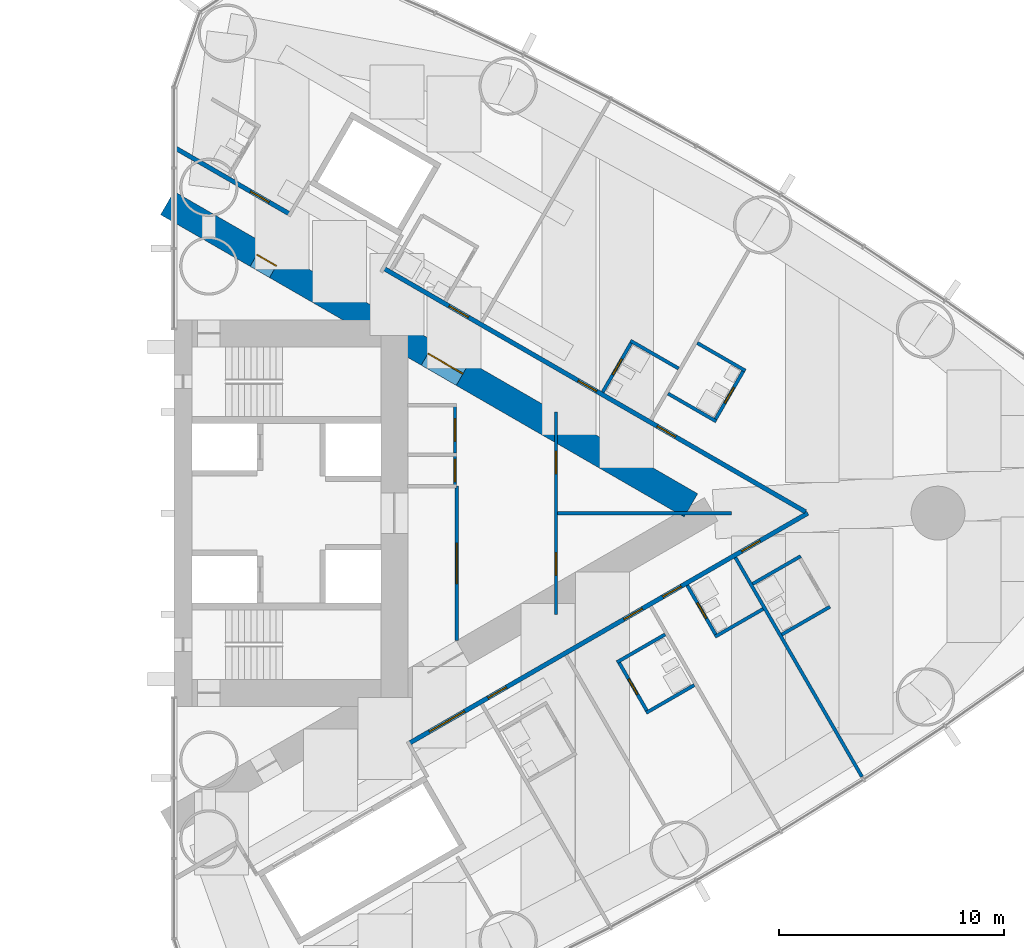
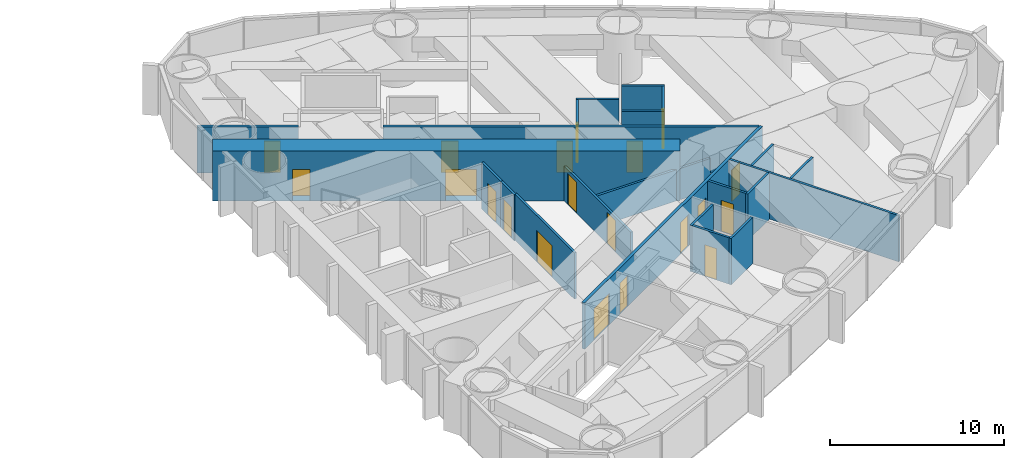
# One storey, part 14 of 18: 22 walls, 20 doors, 20 openings.
"""IFC4 building model written with IfcOpenShell, lengths in metres."""

import ifcopenshell
import ifcopenshell.guid

model = None  # the IFC model being written
_history = None  # IfcOwnerHistory: only IFC2X3 demands one
_inside = {}  # id of a spatial element -> (the spatial element, [elements in it])
_under = {}  # id of a project, library or spatial element -> (it, [spatial elements below it])
_declared = {}  # id of a project -> (the project, [libraries it declares])
_typed = {}  # id of a type object -> (the type object, [elements of that type])
_made_of = {}  # id of a material, layer set ... -> (it, [elements and type objects made of it])


def new_model(schema):
    """Start an empty IFC model of exactly this schema.

    Asked for "IFC4X3", IfcOpenShell would pick the latest addendum, in which some entities
    have other attributes; the version numbers below select the first issue.
    IFC2X3 requires an IfcOwnerHistory on every rooted entity: one is made here for all.
    """
    global model, _history
    if schema == "IFC4X3":
        model = ifcopenshell.file(schema_version=(4, 3, 0, 0))
    else:
        model = ifcopenshell.file(schema=schema)
    _inside.clear()
    _under.clear()
    _declared.clear()
    _typed.clear()
    _made_of.clear()
    _history = None
    if model.schema == "IFC2X3":
        org = make("IfcOrganization", Name="unknown")
        user = make(
            "IfcPersonAndOrganization",
            ThePerson=make("IfcPerson", FamilyName="unknown"),
            TheOrganization=org,
        )
        app = make(
            "IfcApplication",
            ApplicationDeveloper=org,
            Version="unknown",
            ApplicationFullName="unknown",
            ApplicationIdentifier="unknown",
        )
        _history = make(
            "IfcOwnerHistory",
            OwningUser=user,
            OwningApplication=app,
            ChangeAction="ADDED",
            CreationDate=0,
        )
    return model


def make(cls, **values):
    """One entity of the class cls with the attributes given. An attribute that is None is left unset."""
    return model.create_entity(
        cls, **{name: value for name, value in values.items() if value is not None}
    )


def rooted(cls, **values):
    """An entity with a GlobalId (a new one), such as an element, a storey or a relation."""
    return make(cls, GlobalId=ifcopenshell.guid.new(), OwnerHistory=_history, **values)


def si_unit(unit_type, name, prefix=None):
    """IfcSIUnit, for example si_unit("LENGTHUNIT", "METRE", prefix="MILLI")."""
    return make("IfcSIUnit", UnitType=unit_type, Prefix=prefix, Name=name)


def assignment(units):
    """IfcUnitAssignment: the units of a project."""
    return None if units is None else make("IfcUnitAssignment", Units=units)


def point(xyz):
    """IfcCartesianPoint."""
    return None if xyz is None else make("IfcCartesianPoint", Coordinates=xyz)


def direction(xyz):
    """IfcDirection."""
    return None if xyz is None else make("IfcDirection", DirectionRatios=xyz)


def frame(location, z_axis=None, x_axis=None):
    """IfcAxis2Placement3D, a coordinate frame: its origin and axes. An axis left out is left unset."""
    return make(
        "IfcAxis2Placement3D",
        Location=point(location),
        Axis=direction(z_axis),
        RefDirection=direction(x_axis),
    )


def frame_2d(location, x_axis=None):
    """IfcAxis2Placement2D, a coordinate frame in the plane: its origin and x axis."""
    return make(
        "IfcAxis2Placement2D", Location=point(location), RefDirection=direction(x_axis)
    )


def origin():
    """The frame at (0, 0, 0) with its axes left unset."""
    return frame((0.0, 0.0, 0.0))


def place(relative_to, where):
    """IfcLocalPlacement: puts the frame where relative to a parent placement (None: the world)."""
    return make(
        "IfcLocalPlacement", PlacementRelTo=relative_to, RelativePlacement=where
    )


def context(
    kind, dimensions, precision=None, world=None, true_north=None, identifier=None
):
    """IfcGeometricRepresentationContext, for example the 3D "Model" context."""
    return make(
        "IfcGeometricRepresentationContext",
        ContextIdentifier=identifier,
        ContextType=kind,
        CoordinateSpaceDimension=dimensions,
        Precision=precision,
        WorldCoordinateSystem=world,
        TrueNorth=true_north,
    )


def subcontext(parent, identifier, kind, view, scale=None):
    """IfcGeometricRepresentationSubContext, for example "Body" below "Model"."""
    return make(
        "IfcGeometricRepresentationSubContext",
        ContextIdentifier=identifier,
        ContextType=kind,
        ParentContext=parent,
        TargetScale=scale,
        TargetView=view,
    )


def project(units=None, contexts=None):
    """IfcProject with its units and contexts."""
    return rooted(
        "IfcProject",
        Name="project",
        RepresentationContexts=contexts,
        UnitsInContext=assignment(units),
    )


def spatial(cls, under=None, at=None, **own):
    """A site, building, storey or space (cls), placed at a placement, below another one or the project."""
    s = rooted(cls, ObjectPlacement=at, **own)
    if under is not None:
        _under.setdefault(under.id(), (under, []))[1].append(s)
    return s


def profile(cls, at=None, kind="AREA", **sizes):
    """A parametric profile (cls). Its sizes go by their IFC names, for example OverallWidth=200.0."""
    return make(cls, ProfileType=kind, Position=at, **sizes)


def rectangle(**sizes):
    """IfcRectangleProfileDef."""
    return profile("IfcRectangleProfileDef", **sizes)


def extrude(swept, where, along, depth):
    """IfcExtrudedAreaSolid: the profile swept, set in the frame where, extruded along a direction by depth."""
    return make(
        "IfcExtrudedAreaSolid",
        SweptArea=swept,
        Position=where,
        ExtrudedDirection=direction(along),
        Depth=depth,
    )


def shape(context_of_items, identifier, shape_type, items):
    """IfcShapeRepresentation: the items that make up one representation, for example the "Body"."""
    return make(
        "IfcShapeRepresentation",
        ContextOfItems=context_of_items,
        RepresentationIdentifier=identifier,
        RepresentationType=shape_type,
        Items=items,
    )


def material(Name=None, Category=None):
    """IfcMaterial."""
    return make("IfcMaterial", Name=Name, Category=Category)


def layer(
    of_material, thickness, ventilated=None, Name=None, Category=None, Priority=None
):
    """IfcMaterialLayer: one layer of a wall or slab, of a material (None: an air gap)."""
    return make(
        "IfcMaterialLayer",
        Material=of_material,
        LayerThickness=thickness,
        IsVentilated=ventilated,
        Name=Name,
        Category=Category,
        Priority=Priority,
    )


def layer_set(layers, Name=None):
    """IfcMaterialLayerSet."""
    return make("IfcMaterialLayerSet", MaterialLayers=layers, LayerSetName=Name)


def made_of(thing, what):
    """Note that an element or type object is made of a material, layer set ...; save() writes the relation."""
    if what is not None:
        _made_of.setdefault(what.id(), (what, []))[1].append(thing)
    return thing


def type_object(cls, material=None, **own):
    """A type object (cls), such as IfcWallType, which elements share."""
    return made_of(rooted(cls, **own), material)


def element(
    cls,
    number,
    at=None,
    inside=None,
    cuts=None,
    type_object=None,
    material=None,
    context=None,
    identifier="Body",
    shape_type=None,
    held_by="IfcProductDefinitionShape",
    body=None,
    shapes=None,
    **own,
):
    """One element of the class cls, such as IfcWall. Its Tag is "e" and its number.

    at: its placement. inside: the storey or other place that contains it. cuts: it is an
    opening in that element (IfcRelVoidsElement). A single representation is given by context,
    identifier, shape_type and body (its items); several are given by shapes. held_by: the class
    of the entity that holds the representations. save() writes the other relations.
    """
    e = rooted(cls, Tag="e%d" % number, ObjectPlacement=at, **own)
    if body is not None:
        shapes = [shape(context, identifier, shape_type, body)]
    if shapes is not None:
        e.Representation = make(held_by, Representations=shapes)
    if inside is not None:
        _inside.setdefault(inside.id(), (inside, []))[1].append(e)
    if cuts is not None:
        rooted(
            "IfcRelVoidsElement", RelatingBuildingElement=cuts, RelatedOpeningElement=e
        )
    if type_object is not None:
        _typed.setdefault(type_object.id(), (type_object, []))[1].append(e)
    return made_of(e, material)


def fill(opening, filler):
    """IfcRelFillsElement: the door or window that sits in an opening."""
    return rooted(
        "IfcRelFillsElement",
        RelatingOpeningElement=opening,
        RelatedBuildingElement=filler,
    )


def aggregate(whole, parts):
    """IfcRelAggregates: a whole, such as a stair, and the parts it consists of."""
    return rooted("IfcRelAggregates", RelatingObject=whole, RelatedObjects=parts)


def save(model, path):
    """Write the relations noted so far, then the file.

    IfcRelAggregates (storeys below a building ...), IfcRelContainedInSpatialStructure (elements
    in a storey), IfcRelDefinesByType, IfcRelAssociatesMaterial and IfcRelDeclares: one each for
    every whole, place, type object, material and project.
    """
    for whole, parts in _under.values():
        aggregate(whole, parts)
    for where, things in _inside.values():
        rooted(
            "IfcRelContainedInSpatialStructure",
            RelatedElements=things,
            RelatingStructure=where,
        )
    for kind, things in _typed.values():
        rooted("IfcRelDefinesByType", RelatedObjects=things, RelatingType=kind)
    for what, things in _made_of.values():
        rooted("IfcRelAssociatesMaterial", RelatedObjects=things, RelatingMaterial=what)
    for by, libraries in _declared.values():
        rooted("IfcRelDeclares", RelatingContext=by, RelatedDefinitions=libraries)
    model.write(path)


model = new_model("IFC4")

# Units and contexts
model_context = context("Model", 3, precision=1e-05, world=origin(), true_north=direction((0.0, 1.0)))
body_context = subcontext(model_context, "Body", "Model", "MODEL_VIEW")
ifc_project = project(units=[si_unit("LENGTHUNIT", "METRE"), si_unit("AREAUNIT", "SQUARE_METRE"), si_unit("VOLUMEUNIT", "CUBIC_METRE"), si_unit("PLANEANGLEUNIT", "RADIAN"), si_unit("MASSUNIT", "GRAM", prefix="KILO")], contexts=[model_context])

# Site, building, storey
site_placement = place(None, origin())
site = spatial("IfcSite", under=ifc_project, at=site_placement, CompositionType="ELEMENT")
building_placement = place(site_placement, origin())
building = spatial("IfcBuilding", under=site, at=building_placement, Name="Lancet Gate Hotel", CompositionType="ELEMENT")
storey_placement = place(building_placement, frame((0.0, 0.0, 94.10009765625)))
storey = spatial("IfcBuildingStorey", under=building, at=storey_placement, Name="L24", CompositionType="ELEMENT", Elevation=94.10009765625)

# Wall
ifc_material_1 = material(Name="Moisture resistant board partition")
ifc_layer_1 = layer(ifc_material_1, 0.14990234375)
ifc_layer_set_1 = layer_set([ifc_layer_1], Name="Bathroom wall 150")
wall_type_1 = type_object("IfcWallType", Name="Bathroom wall 150", PredefinedType="PARTITIONING", material=ifc_layer_set_1)
wall_1_placement = place(storey_placement, frame((48.510009765625, -8.88671875, 0.0), z_axis=(0.0, 0.0, 1.0), x_axis=(0.866031185235, 0.4999899861, 0.0)))
element("IfcWall", 1, at=wall_1_placement, inside=storey, type_object=wall_type_1, Name="T2 bathroom wall 150 L24", PredefinedType="PARTITIONING", context=body_context, shape_type="SweptSolid", body=[
    extrude(rectangle(XDim=2.47509765625, YDim=0.14990234375, at=frame_2d((1.237548828125, 0.0))), origin(), (0.0, 0.0, 1.0), 3.25),
])

# Wall, opening, door
wall_2_placement = place(storey_placement, frame((47.275146484375, -6.597412109375, 0.0), z_axis=(0.0, 0.0, 1.0), x_axis=(0.499936506574, -0.866062058628, 0.0)))
wall_2 = element("IfcWall", 2, at=wall_2_placement, inside=storey, type_object=wall_type_1, Name="T2 bathroom wall 150 L24", PredefinedType="PARTITIONING", context=body_context, shape_type="SweptSolid", body=[
    extrude(rectangle(XDim=2.599853515625, YDim=0.14990234375, at=frame_2d((1.2998046875, 0.0))), origin(), (0.0, 0.0, 1.0), 3.25),
])
opening_1_placement = place(wall_2_placement, frame((0.89990234375, 0.0, 0.0)))
opening_1 = element("IfcOpeningElement", 3, at=opening_1_placement, cuts=wall_2, Name="Opening 2455-B", PredefinedType="OPENING", context=body_context, shape_type="SweptSolid", body=[
    extrude(rectangle(XDim=0.800048828125, YDim=2.199951171875, at=frame_2d((0.39990234375, 1.10009765625))), frame((0.0, 0.0849609375, 0.0), z_axis=(0.0, -1.0, 0.0), x_axis=(1.0, 0.0, 0.0)), (0.0, 0.0, 1.0), 0.169921875),
])
ifc_material_2 = material(Name="Timber door set", Category="wood")
door_type_1 = type_object("IfcDoorType", Name="Bathroom door 800", OperationType="SINGLE_SWING_RIGHT", PredefinedType="DOOR", material=ifc_material_2)
door_1_placement = place(opening_1_placement, origin())
door_1 = element("IfcDoor", 4, at=door_1_placement, inside=storey, type_object=door_type_1, Name="2455-B", OperationType="SINGLE_SWING_RIGHT", OverallHeight=2.199951171875, OverallWidth=0.800048828125, PredefinedType="DOOR", context=body_context, shape_type="SweptSolid", body=[
    extrude(rectangle(XDim=0.800048828125, YDim=2.199951171875, at=frame_2d((0.39990234375, 1.10009765625))), frame((0.0, 0.02490234375, 0.0), z_axis=(0.0, -1.0, 0.0), x_axis=(1.0, 0.0, 0.0)), (0.0, 0.0, 1.0), 0.050048828125),
])
fill(opening_1, door_1)

# Walls
for number, where, z_axis, x_axis, name in (
    (5, (47.210205078125, -6.635009765625, 0.0), (0.0, 0.0, 1.0), (0.866006523861, 0.500032699561, 0.0), "T2 bathroom wall 150 L24"),
    (6, (51.572998046875, -5.501708984375, 0.0), (0.0, 0.0, 1.0), (0.866006523861, 0.500032699561, 0.0), "T2 bathroom wall 150 L24"),
):
    element("IfcWall", number, at=place(storey_placement, frame(where, z_axis=z_axis, x_axis=x_axis)), inside=storey, type_object=wall_type_1, Name=name, PredefinedType="PARTITIONING", context=body_context, shape_type="SweptSolid", body=[
        extrude(rectangle(XDim=2.474853515625, YDim=0.14990234375, at=frame_2d((1.2373046875, 0.0))), origin(), (0.0, 0.0, 1.0), 3.25),
    ])

# Wall, opening, door
wall_3_placement = place(storey_placement, frame((50.337890625, -3.212646484375, 0.0), z_axis=(0.0, 0.0, 1.0), x_axis=(0.500047596559, -0.865997922154, 0.0)))
wall_3 = element("IfcWall", 7, at=wall_3_placement, inside=storey, type_object=wall_type_1, Name="T2 bathroom wall 150 L24", PredefinedType="PARTITIONING", context=body_context, shape_type="SweptSolid", body=[
    extrude(rectangle(XDim=2.599853515625, YDim=0.14990234375, at=frame_2d((1.2998046875, 0.0))), origin(), (0.0, 0.0, 1.0), 3.25),
])
opening_2_placement = place(wall_3_placement, frame((0.89990234375, 0.0, 0.0)))
opening_2 = element("IfcOpeningElement", 8, at=opening_2_placement, cuts=wall_3, Name="Opening 2456-B", PredefinedType="OPENING", context=body_context, shape_type="SweptSolid", body=[
    extrude(rectangle(XDim=0.800048828125, YDim=2.199951171875, at=frame_2d((0.39990234375, 1.10009765625))), frame((0.0, 0.0849609375, 0.0), z_axis=(0.0, -1.0, 0.0), x_axis=(1.0, 0.0, 0.0)), (0.0, 0.0, 1.0), 0.169921875),
])
door_2_placement = place(opening_2_placement, origin())
door_2 = element("IfcDoor", 9, at=door_2_placement, inside=storey, type_object=door_type_1, Name="2456-B", OperationType="SINGLE_SWING_RIGHT", OverallHeight=2.199951171875, OverallWidth=0.800048828125, PredefinedType="DOOR", context=body_context, shape_type="SweptSolid", body=[
    extrude(rectangle(XDim=0.800048828125, YDim=2.199951171875, at=frame_2d((0.39990234375, 1.10009765625))), frame((0.0, 0.02490234375, 0.0), z_axis=(0.0, -1.0, 0.0), x_axis=(1.0, 0.0, 0.0)), (0.0, 0.0, 1.0), 0.050048828125),
])
fill(opening_2, door_2)

# Walls
for number, where, z_axis, x_axis, name in (
    (10, (54.54638671875, -5.401611328125, 0.0), (0.0, 0.0, 1.0), (0.866006523861, 0.500032699561, 0.0), "T2 bathroom wall 150 L24"),
    (11, (53.246337890625, -3.14990234375, 0.0), (0.0, 0.0, 1.0), (0.866006523861, 0.500032699561, 0.0), "T2 bathroom wall 150 L24"),
    (12, (50.783447265625, 7.57421875, 0.0), (0.0, 0.0, 1.0), (0.866006523861, -0.500032699561, 0.0), "T2 bathroom wall 150 L24"),
):
    element("IfcWall", number, at=place(storey_placement, frame(where, z_axis=z_axis, x_axis=x_axis)), inside=storey, type_object=wall_type_1, Name=name, PredefinedType="PARTITIONING", context=body_context, shape_type="SweptSolid", body=[
        extrude(rectangle(XDim=2.474853515625, YDim=0.14990234375, at=frame_2d((1.2373046875, 0.0))), origin(), (0.0, 0.0, 1.0), 3.25),
    ])

# Wall, opening, door
wall_4_placement = place(storey_placement, frame((51.56201171875, 4.12255859375, 0.0), z_axis=(0.0, 0.0, 1.0), x_axis=(0.49997716683, 0.86603858612, 0.0)))
wall_4 = element("IfcWall", 13, at=wall_4_placement, inside=storey, type_object=wall_type_1, Name="T2 bathroom wall 150 L24", PredefinedType="PARTITIONING", context=body_context, shape_type="SweptSolid", body=[
    extrude(rectangle(XDim=2.599609375, YDim=0.14990234375, at=frame_2d((1.2998046875, 0.0))), origin(), (0.0, 0.0, 1.0), 3.25),
])
opening_3_placement = place(wall_4_placement, frame((0.89990234375, 0.0, 0.0)))
opening_3 = element("IfcOpeningElement", 14, at=opening_3_placement, cuts=wall_4, Name="Opening 2458-B", PredefinedType="OPENING", context=body_context, shape_type="SweptSolid", body=[
    extrude(rectangle(XDim=0.800048828125, YDim=2.199951171875, at=frame_2d((0.39990234375, 1.10009765625))), frame((0.0, 0.0849609375, 0.0), z_axis=(0.0, -1.0, 0.0), x_axis=(1.0, 0.0, 0.0)), (0.0, 0.0, 1.0), 0.169921875),
])
door_3_placement = place(opening_3_placement, origin())
door_3 = element("IfcDoor", 15, at=door_3_placement, inside=storey, type_object=door_type_1, Name="2458-B", OperationType="SINGLE_SWING_RIGHT", OverallHeight=2.199951171875, OverallWidth=0.800048828125, PredefinedType="DOOR", context=body_context, shape_type="SweptSolid", body=[
    extrude(rectangle(XDim=0.800048828125, YDim=2.199951171875, at=frame_2d((0.39990234375, 1.10009765625))), frame((0.0, 0.02490234375, 0.0), z_axis=(0.0, -1.0, 0.0), x_axis=(1.0, 0.0, 0.0)), (0.0, 0.0, 1.0), 0.050048828125),
])
fill(opening_3, door_3)

# Walls
for number, where, z_axis, x_axis, name in (
    (16, (49.4833984375, 5.322509765625, 0.0), (0.0, 0.0, 1.0), (0.866031185235, -0.4999899861, 0.0), "T2 bathroom wall 150 L24"),
    (17, (47.81005859375, 7.67431640625, 0.0), (0.0, 0.0, 1.0), (0.866031185235, -0.4999899861, 0.0), "T2 bathroom wall 150 L24"),
):
    element("IfcWall", number, at=place(storey_placement, frame(where, z_axis=z_axis, x_axis=x_axis)), inside=storey, type_object=wall_type_1, Name=name, PredefinedType="PARTITIONING", context=body_context, shape_type="SweptSolid", body=[
        extrude(rectangle(XDim=2.47509765625, YDim=0.14990234375, at=frame_2d((1.237548828125, 0.0))), origin(), (0.0, 0.0, 1.0), 3.25),
    ])

# Wall, opening, door
wall_5_placement = place(storey_placement, frame((46.574951171875, 5.385009765625, 0.0), z_axis=(0.0, 0.0, 1.0), x_axis=(0.500006934395, 0.866021400173, 0.0)))
wall_5 = element("IfcWall", 18, at=wall_5_placement, inside=storey, type_object=wall_type_1, Name="T2 bathroom wall 150 L24", PredefinedType="PARTITIONING", context=body_context, shape_type="SweptSolid", body=[
    extrude(rectangle(XDim=2.60009765625, YDim=0.14990234375, at=frame_2d((1.300048828125, 0.0))), origin(), (0.0, 0.0, 1.0), 3.25),
])
opening_4_placement = place(wall_5_placement, frame((0.89990234375, 0.0, 0.0)))
opening_4 = element("IfcOpeningElement", 19, at=opening_4_placement, cuts=wall_5, Name="Opening 2460-B", PredefinedType="OPENING", context=body_context, shape_type="SweptSolid", body=[
    extrude(rectangle(XDim=0.800048828125, YDim=2.199951171875, at=frame_2d((0.39990234375, 1.10009765625))), frame((0.0, 0.0849609375, 0.0), z_axis=(0.0, -1.0, 0.0), x_axis=(1.0, 0.0, 0.0)), (0.0, 0.0, 1.0), 0.169921875),
])
door_4_placement = place(opening_4_placement, origin())
door_4 = element("IfcDoor", 20, at=door_4_placement, inside=storey, type_object=door_type_1, Name="2460-B", OperationType="SINGLE_SWING_RIGHT", OverallHeight=2.199951171875, OverallWidth=0.800048828125, PredefinedType="DOOR", context=body_context, shape_type="SweptSolid", body=[
    extrude(rectangle(XDim=0.800048828125, YDim=2.199951171875, at=frame_2d((0.39990234375, 1.10009765625))), frame((0.0, 0.02490234375, 0.0), z_axis=(0.0, -1.0, 0.0), x_axis=(1.0, 0.0, 0.0)), (0.0, 0.0, 1.0), 0.050048828125),
])
fill(opening_4, door_4)

# Wall, openings, doors
ifc_material_3 = material(Name="Concrete C70/85", Category="concrete")
ifc_layer_2 = layer(ifc_material_3, 1.199951171875)
ifc_layer_set_2 = layer_set([ifc_layer_2], Name="Buttress wall 1200")
wall_type_2 = type_object("IfcWallType", Name="Buttress wall 1200", PredefinedType="SHEAR", material=ifc_layer_set_2)
wall_6_placement = place(storey_placement, frame((27.199951171875, 13.800048828125, 0.0), z_axis=(0.0, 0.0, 1.0), x_axis=(0.866024515034, -0.500001539357, 0.0)))
wall_6 = element("IfcWall", 21, at=wall_6_placement, inside=storey, type_object=wall_type_2, Name="T2 buttress wall N L24", PredefinedType="SHEAR", context=body_context, shape_type="SweptSolid", body=[
    extrude(rectangle(XDim=26.9072265625, YDim=1.199951171875, at=frame_2d((13.45361328125, 0.0))), origin(), (0.0, 0.0, 1.0), 3.5),
])
opening_5_placement = place(wall_6_placement, frame((4.60009765625, 0.0, 0.0)))
opening_5 = element("IfcOpeningElement", 22, at=opening_5_placement, cuts=wall_6, Name="Opening T2-L24-LN", PredefinedType="OPENING", context=body_context, shape_type="SweptSolid", body=[
    extrude(rectangle(XDim=1.0, YDim=2.199951171875, at=frame_2d((0.5, 1.10009765625))), frame((0.0, 0.60986328125, 0.0), z_axis=(0.0, -1.0, 0.0), x_axis=(1.0, 0.0, 0.0)), (0.0, 0.0, 1.0), 1.219970703125),
])
opening_6_placement = place(wall_6_placement, frame((13.39453125, 0.0, 0.0)))
opening_6 = element("IfcOpeningElement", 23, at=opening_6_placement, cuts=wall_6, Name="Opening T2-L24-LHN", PredefinedType="OPENING", context=body_context, shape_type="SweptSolid", body=[
    extrude(rectangle(XDim=1.800048828125, YDim=2.199951171875, at=frame_2d((0.89990234375, 1.10009765625))), frame((0.0, 0.60986328125, 0.0), z_axis=(0.0, -1.0, 0.0), x_axis=(1.0, 0.0, 0.0)), (0.0, 0.0, 1.0), 1.219970703125),
])
ifc_material_4 = material(Name="Timber door set", Category="wood")
door_type_2 = type_object("IfcDoorType", Name="Lobby double door 1800", OperationType="DOUBLE_DOOR_SINGLE_SWING", PredefinedType="DOOR", material=ifc_material_4)
door_5_placement = place(opening_6_placement, origin())
door_5 = element("IfcDoor", 24, at=door_5_placement, inside=storey, type_object=door_type_2, Name="T2-L24-LHN", OperationType="DOUBLE_DOOR_SINGLE_SWING", OverallHeight=2.199951171875, OverallWidth=1.800048828125, PredefinedType="DOOR", context=body_context, shape_type="SweptSolid", body=[
    extrude(rectangle(XDim=1.800048828125, YDim=2.199951171875, at=frame_2d((0.89990234375, 1.10009765625))), frame((0.0, 0.02490234375, 0.0), z_axis=(0.0, -1.0, 0.0), x_axis=(1.0, 0.0, 0.0)), (0.0, 0.0, 1.0), 0.050048828125),
])
fill(opening_6, door_5)
ifc_material_5 = material(Name="Timber door set", Category="wood")
door_type_3 = type_object("IfcDoorType", Name="Stair lobby door 1000", OperationType="SINGLE_SWING_LEFT", PredefinedType="DOOR", material=ifc_material_5)
door_6_placement = place(opening_5_placement, origin())
door_6 = element("IfcDoor", 25, at=door_6_placement, inside=storey, type_object=door_type_3, Name="T2-L24-LN", OperationType="SINGLE_SWING_LEFT", OverallHeight=2.199951171875, OverallWidth=1.0, PredefinedType="DOOR", context=body_context, shape_type="SweptSolid", body=[
    extrude(rectangle(XDim=1.0, YDim=2.199951171875, at=frame_2d((0.5, 1.10009765625))), frame((0.0, 0.02490234375, 0.0), z_axis=(0.0, -1.0, 0.0), x_axis=(1.0, 0.0, 0.0)), (0.0, 0.0, 1.0), 0.050048828125),
])
fill(opening_5, door_6)

ifc_material_6 = material(Name="Gypsum board partition")
ifc_layer_3 = layer(ifc_material_6, 0.199951171875)
ifc_layer_set_3 = layer_set([ifc_layer_3], Name="Corridor wall 200")
wall_type_3 = type_object("IfcWallType", Name="Corridor wall 200", PredefinedType="PARTITIONING", material=ifc_layer_set_3)
wall_7_placement = place(storey_placement, frame((37.9599609375, -10.243408203125, 0.0), z_axis=(0.0, 0.0, 1.0), x_axis=(0.866026429433, 0.499998223521, 0.0)))
wall_7 = element("IfcWall", 26, at=wall_7_placement, inside=storey, type_object=wall_type_3, Name="T2 corridor wall 200 L24", PredefinedType="PARTITIONING", context=body_context, shape_type="SweptSolid", body=[
    extrude(rectangle(XDim=20.48681640625, YDim=0.199951171875, at=frame_2d((10.243408203125, 0.0))), origin(), (0.0, 0.0, 1.0), 3.25),
])
opening_7_placement = place(wall_7_placement, frame((4.046630859375, 0.0, 0.0)))
opening_7 = element("IfcOpeningElement", 27, at=opening_7_placement, cuts=wall_7, Name="Opening 2454-E", PredefinedType="OPENING", context=body_context, shape_type="SweptSolid", body=[
    extrude(rectangle(XDim=0.949951171875, YDim=2.199951171875, at=frame_2d((0.47509765625, 1.10009765625))), frame((0.0, 0.10986328125, 0.0), z_axis=(0.0, -1.0, 0.0), x_axis=(1.0, 0.0, 0.0)), (0.0, 0.0, 1.0), 0.219970703125),
])
opening_8_placement = place(wall_7_placement, frame((11.0400390625, 0.0, 0.0)))
opening_8 = element("IfcOpeningElement", 28, at=opening_8_placement, cuts=wall_7, Name="Opening 2455-E", PredefinedType="OPENING", context=body_context, shape_type="SweptSolid", body=[
    extrude(rectangle(XDim=0.949951171875, YDim=2.199951171875, at=frame_2d((0.47509765625, 1.10009765625))), frame((0.0, 0.10986328125, 0.0), z_axis=(0.0, -1.0, 0.0), x_axis=(1.0, 0.0, 0.0)), (0.0, 0.0, 1.0), 0.219970703125),
])
opening_9_placement = place(wall_7_placement, frame((13.03515625, 0.0, 0.0)))
opening_9 = element("IfcOpeningElement", 29, at=opening_9_placement, cuts=wall_7, Name="Opening 2456-E", PredefinedType="OPENING", context=body_context, shape_type="SweptSolid", body=[
    extrude(rectangle(XDim=0.949951171875, YDim=2.199951171875, at=frame_2d((0.47509765625, 1.10009765625))), frame((0.0, 0.10986328125, 0.0), z_axis=(0.0, -1.0, 0.0), x_axis=(1.0, 0.0, 0.0)), (0.0, 0.0, 1.0), 0.219970703125),
])
opening_10_placement = place(wall_7_placement, frame((17.085205078125, 0.0, 0.0)))
opening_10 = element("IfcOpeningElement", 30, at=opening_10_placement, cuts=wall_7, Name="Opening 2457-E", PredefinedType="OPENING", context=body_context, shape_type="SweptSolid", body=[
    extrude(rectangle(XDim=0.949951171875, YDim=2.199951171875, at=frame_2d((0.47509765625, 1.10009765625))), frame((0.0, 0.10986328125, 0.0), z_axis=(0.0, -1.0, 0.0), x_axis=(1.0, 0.0, 0.0)), (0.0, 0.0, 1.0), 0.219970703125),
])
opening_11_placement = place(wall_7_placement, frame((1.04833984375, 0.0, 0.0)))
opening_11 = element("IfcOpeningElement", 31, at=opening_11_placement, cuts=wall_7, Name="Opening T2-L24-LO2", PredefinedType="OPENING", context=body_context, shape_type="SweptSolid", body=[
    extrude(rectangle(XDim=1.800048828125, YDim=2.199951171875, at=frame_2d((0.89990234375, 1.10009765625))), frame((0.0, 0.10986328125, 0.0), z_axis=(0.0, -1.0, 0.0), x_axis=(1.0, 0.0, 0.0)), (0.0, 0.0, 1.0), 0.219970703125),
])
ifc_material_7 = material(Name="Timber door set", Category="wood")
door_type_4 = type_object("IfcDoorType", Name="Double door 1800", OperationType="DOUBLE_DOOR_SINGLE_SWING", PredefinedType="DOOR", material=ifc_material_7)
door_7_placement = place(opening_11_placement, origin())
door_7 = element("IfcDoor", 32, at=door_7_placement, inside=storey, type_object=door_type_4, Name="T2-L24-LO2", OperationType="DOUBLE_DOOR_SINGLE_SWING", OverallHeight=2.199951171875, OverallWidth=1.800048828125, PredefinedType="DOOR", context=body_context, shape_type="SweptSolid", body=[
    extrude(rectangle(XDim=1.800048828125, YDim=2.199951171875, at=frame_2d((0.89990234375, 1.10009765625))), frame((0.0, 0.02490234375, 0.0), z_axis=(0.0, -1.0, 0.0), x_axis=(1.0, 0.0, 0.0)), (0.0, 0.0, 1.0), 0.050048828125),
])
fill(opening_11, door_7)
ifc_material_8 = material(Name="Timber door set", Category="wood")
door_type_5 = type_object("IfcDoorType", Name="Guest room entry door 950", OperationType="SINGLE_SWING_LEFT", PredefinedType="DOOR", material=ifc_material_8)
door_8_placement = place(opening_7_placement, origin())
door_8 = element("IfcDoor", 33, at=door_8_placement, inside=storey, type_object=door_type_5, Name="2454-E", OperationType="SINGLE_SWING_LEFT", OverallHeight=2.199951171875, OverallWidth=0.949951171875, PredefinedType="DOOR", context=body_context, shape_type="SweptSolid", body=[
    extrude(rectangle(XDim=0.949951171875, YDim=2.199951171875, at=frame_2d((0.47509765625, 1.10009765625))), frame((0.0, 0.02490234375, 0.0), z_axis=(0.0, -1.0, 0.0), x_axis=(1.0, 0.0, 0.0)), (0.0, 0.0, 1.0), 0.050048828125),
])
fill(opening_7, door_8)
door_9_placement = place(opening_8_placement, origin())
door_9 = element("IfcDoor", 34, at=door_9_placement, inside=storey, type_object=door_type_5, Name="2455-E", OperationType="SINGLE_SWING_LEFT", OverallHeight=2.199951171875, OverallWidth=0.949951171875, PredefinedType="DOOR", context=body_context, shape_type="SweptSolid", body=[
    extrude(rectangle(XDim=0.949951171875, YDim=2.199951171875, at=frame_2d((0.47509765625, 1.10009765625))), frame((0.0, 0.02490234375, 0.0), z_axis=(0.0, -1.0, 0.0), x_axis=(1.0, 0.0, 0.0)), (0.0, 0.0, 1.0), 0.050048828125),
])
fill(opening_8, door_9)
door_10_placement = place(opening_9_placement, origin())
door_10 = element("IfcDoor", 35, at=door_10_placement, inside=storey, type_object=door_type_5, Name="2456-E", OperationType="SINGLE_SWING_LEFT", OverallHeight=2.199951171875, OverallWidth=0.949951171875, PredefinedType="DOOR", context=body_context, shape_type="SweptSolid", body=[
    extrude(rectangle(XDim=0.949951171875, YDim=2.199951171875, at=frame_2d((0.47509765625, 1.10009765625))), frame((0.0, 0.02490234375, 0.0), z_axis=(0.0, -1.0, 0.0), x_axis=(1.0, 0.0, 0.0)), (0.0, 0.0, 1.0), 0.050048828125),
])
fill(opening_9, door_10)
door_11_placement = place(opening_10_placement, origin())
door_11 = element("IfcDoor", 36, at=door_11_placement, inside=storey, type_object=door_type_5, Name="2457-E", OperationType="SINGLE_SWING_LEFT", OverallHeight=2.199951171875, OverallWidth=0.949951171875, PredefinedType="DOOR", context=body_context, shape_type="SweptSolid", body=[
    extrude(rectangle(XDim=0.949951171875, YDim=2.199951171875, at=frame_2d((0.47509765625, 1.10009765625))), frame((0.0, 0.02490234375, 0.0), z_axis=(0.0, -1.0, 0.0), x_axis=(1.0, 0.0, 0.0)), (0.0, 0.0, 1.0), 0.050048828125),
])
fill(opening_10, door_11)

# Wall, opening, door
wall_8_placement = place(storey_placement, frame((27.572021484375, 16.240966796875, 0.0), z_axis=(0.0, 0.0, 1.0), x_axis=(0.866032814021, -0.499987164874, 0.0)))
wall_8 = element("IfcWall", 37, at=wall_8_placement, inside=storey, type_object=wall_type_3, Name="T2 corridor wall 200 L24", PredefinedType="PARTITIONING", context=body_context, shape_type="SweptSolid", body=[
    extrude(rectangle(XDim=5.854736328125, YDim=0.199951171875, at=frame_2d((2.92724609375, 0.0))), origin(), (0.0, 0.0, 1.0), 3.25),
])
opening_12_placement = place(wall_8_placement, frame((3.85009765625, 0.0, 0.0)))
opening_12 = element("IfcOpeningElement", 38, at=opening_12_placement, cuts=wall_8, Name="Opening 2464-E", PredefinedType="OPENING", context=body_context, shape_type="SweptSolid", body=[
    extrude(rectangle(XDim=0.949951171875, YDim=2.199951171875, at=frame_2d((0.47509765625, 1.10009765625))), frame((0.0, 0.10986328125, 0.0), z_axis=(0.0, -1.0, 0.0), x_axis=(1.0, 0.0, 0.0)), (0.0, 0.0, 1.0), 0.219970703125),
])
door_12_placement = place(opening_12_placement, origin())
door_12 = element("IfcDoor", 39, at=door_12_placement, inside=storey, type_object=door_type_5, Name="2464-E", OperationType="SINGLE_SWING_LEFT", OverallHeight=2.199951171875, OverallWidth=0.949951171875, PredefinedType="DOOR", context=body_context, shape_type="SweptSolid", body=[
    extrude(rectangle(XDim=0.949951171875, YDim=2.199951171875, at=frame_2d((0.47509765625, 1.10009765625))), frame((0.0, 0.02490234375, 0.0), z_axis=(0.0, -1.0, 0.0), x_axis=(1.0, 0.0, 0.0)), (0.0, 0.0, 1.0), 0.050048828125),
])
fill(opening_12, door_12)

# Wall, openings, doors
wall_9_placement = place(storey_placement, frame((36.833984375, 10.8935546875, 0.0), z_axis=(0.0, 0.0, 1.0), x_axis=(0.866028157229, -0.499995230863, 0.0)))
wall_9 = element("IfcWall", 40, at=wall_9_placement, inside=storey, type_object=wall_type_3, Name="T2 corridor wall 200 L24", PredefinedType="PARTITIONING", context=body_context, shape_type="SweptSolid", body=[
    extrude(rectangle(XDim=21.667236328125, YDim=0.199951171875, at=frame_2d((10.83349609375, 0.0))), origin(), (0.0, 0.0, 1.0), 3.25),
])
opening_13_placement = place(wall_9_placement, frame((14.040283203125, 0.0, 0.0)))
opening_13 = element("IfcOpeningElement", 41, at=opening_13_placement, cuts=wall_9, Name="Opening 2458-E", PredefinedType="OPENING", context=body_context, shape_type="SweptSolid", body=[
    extrude(rectangle(XDim=0.949951171875, YDim=2.199951171875, at=frame_2d((0.47509765625, 1.10009765625))), frame((0.0, 0.10986328125, 0.0), z_axis=(0.0, -1.0, 0.0), x_axis=(1.0, 0.0, 0.0)), (0.0, 0.0, 1.0), 0.219970703125),
])
opening_14_placement = place(wall_9_placement, frame((9.990234375, 0.0, 0.0)))
opening_14 = element("IfcOpeningElement", 42, at=opening_14_placement, cuts=wall_9, Name="Opening 2460-E", PredefinedType="OPENING", context=body_context, shape_type="SweptSolid", body=[
    extrude(rectangle(XDim=0.949951171875, YDim=2.199951171875, at=frame_2d((0.47509765625, 1.10009765625))), frame((0.0, 0.10986328125, 0.0), z_axis=(0.0, -1.0, 0.0), x_axis=(1.0, 0.0, 0.0)), (0.0, 0.0, 1.0), 0.219970703125),
])
opening_15_placement = place(wall_9_placement, frame((3.35009765625, 0.0, 0.0)))
opening_15 = element("IfcOpeningElement", 43, at=opening_15_placement, cuts=wall_9, Name="Opening 2462-E", PredefinedType="OPENING", context=body_context, shape_type="SweptSolid", body=[
    extrude(rectangle(XDim=1.0, YDim=2.199951171875, at=frame_2d((0.5, 1.10009765625))), frame((0.0, 0.10986328125, 0.0), z_axis=(0.0, -1.0, 0.0), x_axis=(1.0, 0.0, 0.0)), (0.0, 0.0, 1.0), 0.219970703125),
])
ifc_material_9 = material(Name="Timber door set", Category="wood")
door_type_6 = type_object("IfcDoorType", Name="Accessible guest room door 1000", OperationType="SINGLE_SWING_LEFT", PredefinedType="DOOR", material=ifc_material_9)
door_13_placement = place(opening_15_placement, origin())
door_13 = element("IfcDoor", 44, at=door_13_placement, inside=storey, type_object=door_type_6, Name="2462-E", OperationType="SINGLE_SWING_LEFT", OverallHeight=2.199951171875, OverallWidth=1.0, PredefinedType="DOOR", context=body_context, shape_type="SweptSolid", body=[
    extrude(rectangle(XDim=1.0, YDim=2.199951171875, at=frame_2d((0.5, 1.10009765625))), frame((0.0, 0.02490234375, 0.0), z_axis=(0.0, -1.0, 0.0), x_axis=(1.0, 0.0, 0.0)), (0.0, 0.0, 1.0), 0.050048828125),
])
fill(opening_15, door_13)
door_14_placement = place(opening_13_placement, origin())
door_14 = element("IfcDoor", 45, at=door_14_placement, inside=storey, type_object=door_type_5, Name="2458-E", OperationType="SINGLE_SWING_LEFT", OverallHeight=2.199951171875, OverallWidth=0.949951171875, PredefinedType="DOOR", context=body_context, shape_type="SweptSolid", body=[
    extrude(rectangle(XDim=0.949951171875, YDim=2.199951171875, at=frame_2d((0.47509765625, 1.10009765625))), frame((0.0, 0.02490234375, 0.0), z_axis=(0.0, -1.0, 0.0), x_axis=(1.0, 0.0, 0.0)), (0.0, 0.0, 1.0), 0.050048828125),
])
fill(opening_13, door_14)
door_15_placement = place(opening_14_placement, origin())
door_15 = element("IfcDoor", 46, at=door_15_placement, inside=storey, type_object=door_type_5, Name="2460-E", OperationType="SINGLE_SWING_LEFT", OverallHeight=2.199951171875, OverallWidth=0.949951171875, PredefinedType="DOOR", context=body_context, shape_type="SweptSolid", body=[
    extrude(rectangle(XDim=0.949951171875, YDim=2.199951171875, at=frame_2d((0.47509765625, 1.10009765625))), frame((0.0, 0.02490234375, 0.0), z_axis=(0.0, -1.0, 0.0), x_axis=(1.0, 0.0, 0.0)), (0.0, 0.0, 1.0), 0.050048828125),
])
fill(opening_14, door_15)

# Wall
ifc_material_10 = material(Name="Gypsum board partition")
ifc_layer_4 = layer(ifc_material_10, 0.14990234375)
ifc_layer_set_4 = layer_set([ifc_layer_4], Name="Party wall 150")
wall_type_4 = type_object("IfcWallType", Name="Party wall 150", PredefinedType="PARTITIONING", material=ifc_layer_set_4)
wall_10_placement = place(storey_placement, frame((52.4814453125, -1.97509765625, 0.0), z_axis=(0.0, 0.0, 1.0), x_axis=(0.500003867771, -0.866023170714, 0.0)))
element("IfcWall", 47, at=wall_10_placement, inside=storey, type_object=wall_type_4, Name="T2 party wall 150 L24", PredefinedType="PARTITIONING", context=body_context, shape_type="SweptSolid", body=[
    extrude(rectangle(XDim=11.2646484375, YDim=0.14990234375, at=frame_2d((5.63232421875, 0.0))), origin(), (0.0, 0.0, 1.0), 3.25),
])

# Wall, opening, door
ifc_material_11 = material(Name="Gypsum board partition")
ifc_layer_5 = layer(ifc_material_11, 0.14990234375)
ifc_layer_set_5 = layer_set([ifc_layer_5], Name="Service room wall 150")
wall_type_5 = type_object("IfcWallType", Name="Service room wall 150", PredefinedType="PARTITIONING", material=ifc_layer_set_5)
wall_11_placement = place(storey_placement, frame((40.0, 1.125, 0.0), z_axis=(0.0, 0.0, 1.0), x_axis=(0.0, 1.0, 0.0)))
wall_11 = element("IfcWall", 48, at=wall_11_placement, inside=storey, type_object=wall_type_5, Name="T2 service room wall 150 L24", PredefinedType="PARTITIONING", context=body_context, shape_type="SweptSolid", body=[
    extrude(rectangle(XDim=1.550048828125, YDim=0.14990234375, at=frame_2d((0.77490234375, 0.0))), origin(), (0.0, 0.0, 1.0), 3.25),
])
opening_16_placement = place(wall_11_placement, frame((0.27490234375, 0.0, 0.0)))
opening_16 = element("IfcOpeningElement", 49, at=opening_16_placement, cuts=wall_11, Name="Opening T2-L24-HRN0", PredefinedType="OPENING", context=body_context, shape_type="SweptSolid", body=[
    extrude(rectangle(XDim=1.0, YDim=2.199951171875, at=frame_2d((0.5, 1.10009765625))), frame((0.0, 0.0849609375, 0.0), z_axis=(0.0, -1.0, 0.0), x_axis=(1.0, 0.0, 0.0)), (0.0, 0.0, 1.0), 0.169921875),
])
ifc_material_12 = material(Name="Timber door set", Category="wood")
door_type_7 = type_object("IfcDoorType", Name="Service door 1000", OperationType="SINGLE_SWING_LEFT", PredefinedType="DOOR", material=ifc_material_12)
door_16_placement = place(opening_16_placement, origin())
door_16 = element("IfcDoor", 50, at=door_16_placement, inside=storey, type_object=door_type_7, Name="T2-L24-HRN0", OperationType="SINGLE_SWING_LEFT", OverallHeight=2.199951171875, OverallWidth=1.0, PredefinedType="DOOR", context=body_context, shape_type="SweptSolid", body=[
    extrude(rectangle(XDim=1.0, YDim=2.199951171875, at=frame_2d((0.5, 1.10009765625))), frame((0.0, 0.02490234375, 0.0), z_axis=(0.0, -1.0, 0.0), x_axis=(1.0, 0.0, 0.0)), (0.0, 0.0, 1.0), 0.050048828125),
])
fill(opening_16, door_16)

wall_12_placement = place(storey_placement, frame((40.0, 2.52490234375, 0.0), z_axis=(0.0, 0.0, 1.0), x_axis=(0.0, 1.0, 0.0)))
wall_12 = element("IfcWall", 51, at=wall_12_placement, inside=storey, type_object=wall_type_5, Name="T2 service room wall 150 L24", PredefinedType="PARTITIONING", context=body_context, shape_type="SweptSolid", body=[
    extrude(rectangle(XDim=2.35009765625, YDim=0.14990234375, at=frame_2d((1.175048828125, 0.0))), origin(), (0.0, 0.0, 1.0), 3.25),
])
opening_17_placement = place(wall_12_placement, frame((0.675048828125, 0.0, 0.0)))
opening_17 = element("IfcOpeningElement", 52, at=opening_17_placement, cuts=wall_12, Name="Opening T2-L24-HRN1", PredefinedType="OPENING", context=body_context, shape_type="SweptSolid", body=[
    extrude(rectangle(XDim=1.0, YDim=2.199951171875, at=frame_2d((0.5, 1.10009765625))), frame((0.0, 0.0849609375, 0.0), z_axis=(0.0, -1.0, 0.0), x_axis=(1.0, 0.0, 0.0)), (0.0, 0.0, 1.0), 0.169921875),
])
door_17_placement = place(opening_17_placement, origin())
door_17 = element("IfcDoor", 53, at=door_17_placement, inside=storey, type_object=door_type_7, Name="T2-L24-HRN1", OperationType="SINGLE_SWING_LEFT", OverallHeight=2.199951171875, OverallWidth=1.0, PredefinedType="DOOR", context=body_context, shape_type="SweptSolid", body=[
    extrude(rectangle(XDim=1.0, YDim=2.199951171875, at=frame_2d((0.5, 1.10009765625))), frame((0.0, 0.02490234375, 0.0), z_axis=(0.0, -1.0, 0.0), x_axis=(1.0, 0.0, 0.0)), (0.0, 0.0, 1.0), 0.050048828125),
])
fill(opening_17, door_17)

wall_13_placement = place(storey_placement, frame((40.074951171875, -5.673828125, 0.0), z_axis=(0.0, 0.0, 1.0), x_axis=(0.0, 1.0, 0.0)))
wall_13 = element("IfcWall", 54, at=wall_13_placement, inside=storey, type_object=wall_type_5, Name="T2 service room wall 150 L24", PredefinedType="PARTITIONING", context=body_context, shape_type="SweptSolid", body=[
    extrude(rectangle(XDim=6.873779296875, YDim=0.14990234375, at=frame_2d((3.43701171875, 0.0))), origin(), (0.0, 0.0, 1.0), 3.25),
])
opening_18_placement = place(wall_13_placement, frame((2.536865234375, 0.0, 0.0)))
opening_18 = element("IfcOpeningElement", 55, at=opening_18_placement, cuts=wall_13, Name="Opening T2-L24-LH", PredefinedType="OPENING", context=body_context, shape_type="SweptSolid", body=[
    extrude(rectangle(XDim=1.800048828125, YDim=2.199951171875, at=frame_2d((0.89990234375, 1.10009765625))), frame((0.0, 0.0849609375, 0.0), z_axis=(0.0, -1.0, 0.0), x_axis=(1.0, 0.0, 0.0)), (0.0, 0.0, 1.0), 0.169921875),
])
door_18_placement = place(opening_18_placement, origin())
door_18 = element("IfcDoor", 56, at=door_18_placement, inside=storey, type_object=door_type_2, Name="T2-L24-LH", OperationType="DOUBLE_DOOR_SINGLE_SWING", OverallHeight=2.199951171875, OverallWidth=1.800048828125, PredefinedType="DOOR", context=body_context, shape_type="SweptSolid", body=[
    extrude(rectangle(XDim=1.800048828125, YDim=2.199951171875, at=frame_2d((0.89990234375, 1.10009765625))), frame((0.0, 0.02490234375, 0.0), z_axis=(0.0, -1.0, 0.0), x_axis=(1.0, 0.0, 0.0)), (0.0, 0.0, 1.0), 0.050048828125),
])
fill(opening_18, door_18)

# Wall, openings, doors
wall_14_placement = place(storey_placement, frame((44.5, -4.504638671875, 0.0), z_axis=(0.0, 0.0, 1.0), x_axis=(0.0, 1.0, 0.0)))
wall_14 = element("IfcWall", 57, at=wall_14_placement, inside=storey, type_object=wall_type_5, Name="T2 service room wall 150 L24", PredefinedType="PARTITIONING", context=body_context, shape_type="SweptSolid", body=[
    extrude(rectangle(XDim=9.00927734375, YDim=0.14990234375, at=frame_2d((4.504638671875, 0.0))), origin(), (0.0, 0.0, 1.0), 2.449951171875),
])
opening_19_placement = place(wall_14_placement, frame((1.752197265625, 0.0, 0.0)))
opening_19 = element("IfcOpeningElement", 58, at=opening_19_placement, cuts=wall_14, Name="Opening T2-L24-SV", PredefinedType="OPENING", context=body_context, shape_type="SweptSolid", body=[
    extrude(rectangle(XDim=1.0, YDim=2.199951171875, at=frame_2d((0.5, 1.10009765625))), frame((0.0, 0.0849609375, 0.0), z_axis=(0.0, -1.0, 0.0), x_axis=(1.0, 0.0, 0.0)), (0.0, 0.0, 1.0), 0.169921875),
])
opening_20_placement = place(wall_14_placement, frame((6.2568359375, 0.0, 0.0)))
opening_20 = element("IfcOpeningElement", 59, at=opening_20_placement, cuts=wall_14, Name="Opening T2-L24-SV2", PredefinedType="OPENING", context=body_context, shape_type="SweptSolid", body=[
    extrude(rectangle(XDim=1.0, YDim=2.199951171875, at=frame_2d((0.5, 1.10009765625))), frame((0.0, 0.0849609375, 0.0), z_axis=(0.0, -1.0, 0.0), x_axis=(1.0, 0.0, 0.0)), (0.0, 0.0, 1.0), 0.169921875),
])
door_19_placement = place(opening_19_placement, origin())
door_19 = element("IfcDoor", 60, at=door_19_placement, inside=storey, type_object=door_type_7, Name="T2-L24-SV", OperationType="SINGLE_SWING_LEFT", OverallHeight=2.199951171875, OverallWidth=1.0, PredefinedType="DOOR", context=body_context, shape_type="SweptSolid", body=[
    extrude(rectangle(XDim=1.0, YDim=2.199951171875, at=frame_2d((0.5, 1.10009765625))), frame((0.0, 0.02490234375, 0.0), z_axis=(0.0, -1.0, 0.0), x_axis=(1.0, 0.0, 0.0)), (0.0, 0.0, 1.0), 0.050048828125),
])
fill(opening_19, door_19)
door_20_placement = place(opening_20_placement, origin())
door_20 = element("IfcDoor", 61, at=door_20_placement, inside=storey, type_object=door_type_7, Name="T2-L24-SV2", OperationType="SINGLE_SWING_LEFT", OverallHeight=2.199951171875, OverallWidth=1.0, PredefinedType="DOOR", context=body_context, shape_type="SweptSolid", body=[
    extrude(rectangle(XDim=1.0, YDim=2.199951171875, at=frame_2d((0.5, 1.10009765625))), frame((0.0, 0.02490234375, 0.0), z_axis=(0.0, -1.0, 0.0), x_axis=(1.0, 0.0, 0.0)), (0.0, 0.0, 1.0), 0.050048828125),
])
fill(opening_20, door_20)

# Wall
wall_15_placement = place(storey_placement, frame((44.574951171875, 0.0, 0.0), z_axis=(0.0, 0.0, 1.0), x_axis=(1.0, 0.0, 0.0)))
element("IfcWall", 62, at=wall_15_placement, inside=storey, type_object=wall_type_5, Name="T2 service room wall 150 L24", PredefinedType="PARTITIONING", context=body_context, shape_type="SweptSolid", body=[
    extrude(rectangle(XDim=7.727294921875, YDim=0.14990234375, at=frame_2d((3.86376953125, 0.0))), origin(), (0.0, 0.0, 1.0), 2.199951171875),
])

save(model, "model.ifc")
